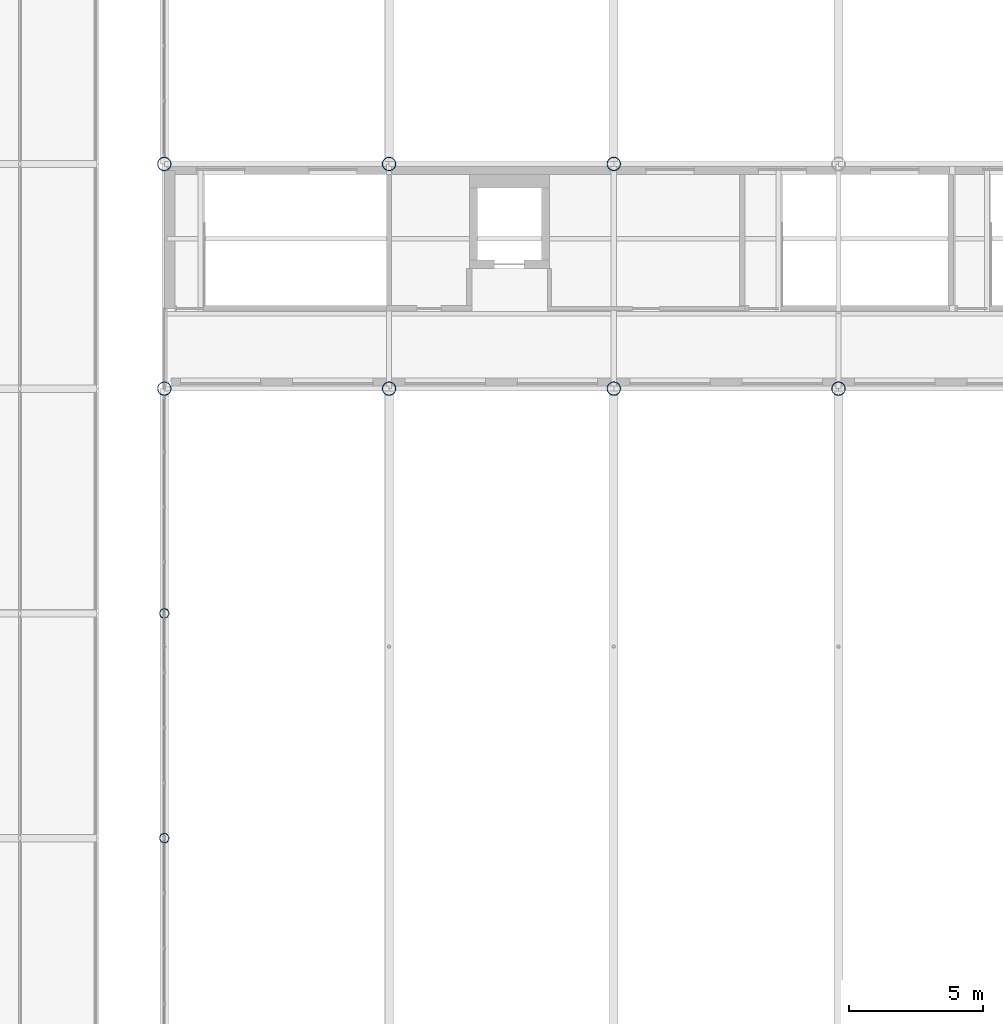
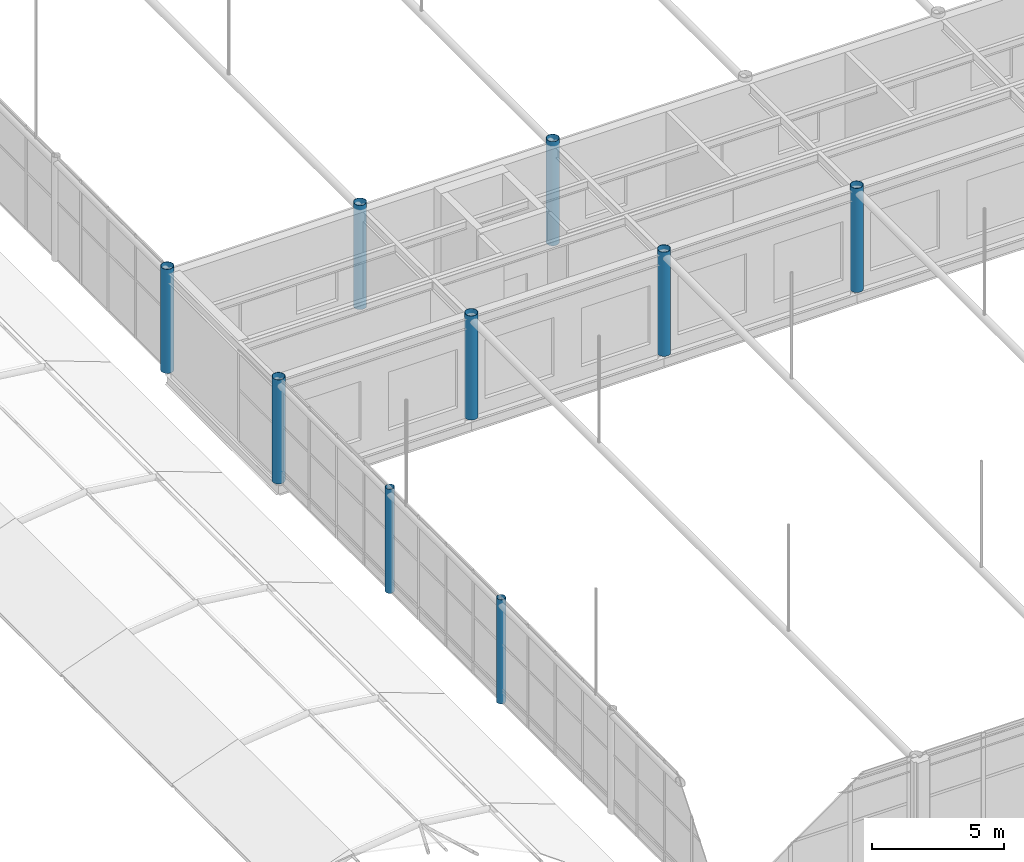
# One storey, part 4 of 167: 9 columns.
"""IFC4 building model written with IfcOpenShell, lengths in metres."""

from ifc_helpers import new_model, si_unit, direction, frame, origin, origin_2d, place, context, subcontext, project, spatial, hollow_circle, extrude, material, material_profile, profile_set, type_object, element, save


model = new_model("IFC4")

# Units and contexts
model_context = context("Model", 3, precision=1e-05, world=origin(), true_north=direction((0.0, 1.0)))
body_context = subcontext(model_context, "Body", "Model", "MODEL_VIEW")
ifc_project = project(units=[si_unit("LENGTHUNIT", "METRE"), si_unit("AREAUNIT", "SQUARE_METRE"), si_unit("VOLUMEUNIT", "CUBIC_METRE"), si_unit("PLANEANGLEUNIT", "RADIAN"), si_unit("MASSUNIT", "GRAM", prefix="KILO")], contexts=[model_context])

# Site, building, storey
site_placement = place(None, origin())
site = spatial("IfcSite", under=ifc_project, at=site_placement, CompositionType="ELEMENT")
building_placement = place(site_placement, origin())
building = spatial("IfcBuilding", under=site, at=building_placement, Name="Catenary Quay Ferry Terminal", CompositionType="ELEMENT")
storey_placement = place(building_placement, frame((0.0, 0.0, 6.0)))
storey = spatial("IfcBuildingStorey", under=building, at=storey_placement, Name="L01", CompositionType="ELEMENT", Elevation=6.0)

# Columns
ifc_material_1 = material(Name="Steel S355", Category="steel")
ifc_material_profile_1 = material_profile(ifc_material_1, hollow_circle(Radius=0.25390625, WallThickness=0.01611328125, at=origin_2d()), Name="CHS 508x16")
ifc_profile_set_1 = profile_set([ifc_material_profile_1], Name="Steel S355")
column_type_1 = type_object("IfcColumnType", Name="C4 CHS 508x16", PredefinedType="COLUMN", material=ifc_profile_set_1)
for number, where, z_axis, x_axis, name in (
    (1, (25.199951171875, 100.800048828125, 0.0), (0.0, 0.0, 1.0), (1.0, 0.0, 0.0), "Column C-D13 L01"),
    (2, (33.60009765625, 100.800048828125, 0.0), (0.0, 0.0, 1.0), (1.0, 0.0, 0.0), "Column C-E13 L01"),
    (3, (42.0, 100.800048828125, 0.0), (0.0, 0.0, 1.0), (1.0, 0.0, 0.0), "Column C-F13 L01"),
    (4, (50.39990234375, 100.800048828125, 0.0), (0.0, 0.0, 1.0), (1.0, 0.0, 0.0), "Column C-G13 L01"),
    (5, (25.199951171875, 109.199951171875, 0.0), (0.0, 0.0, 1.0), (1.0, 0.0, 0.0), "Column C-D14 L01"),
    (6, (33.60009765625, 109.199951171875, 0.0), (0.0, 0.0, 1.0), (1.0, 0.0, 0.0), "Column C-E14 L01"),
    (7, (42.0, 109.199951171875, 0.0), (0.0, 0.0, 1.0), (1.0, 0.0, 0.0), "Column C-F14 L01"),
):
    element("IfcColumn", number, at=place(storey_placement, frame(where, z_axis=z_axis, x_axis=x_axis)), inside=storey, type_object=column_type_1, Name=name, PredefinedType="COLUMN", context=body_context, shape_type="SweptSolid", body=[
        extrude(hollow_circle(Radius=0.25390625, WallThickness=0.01611328125, at=origin_2d()), origin(), (0.0, 0.0, 1.0), 4.800048828125),
    ])
ifc_material_2 = material(Name="Steel S355", Category="steel")
ifc_material_profile_2 = material_profile(ifc_material_2, hollow_circle(Radius=0.177734375, WallThickness=0.012451171875, at=origin_2d()), Name="CHS 355.6x12.5")
ifc_profile_set_2 = profile_set([ifc_material_profile_2], Name="Steel S355")
column_type_2 = type_object("IfcColumnType", Name="C5 CHS 355.6x12.5", PredefinedType="COLUMN", material=ifc_profile_set_2)
for number, where, z_axis, x_axis, name in (
    (8, (25.199951171875, 84.0, 0.0), (0.0, 0.0, 1.0), (1.0, 0.0, 0.0), "Column C-D11 L01"),
    (9, (25.199951171875, 92.39990234375, 0.0), (0.0, 0.0, 1.0), (1.0, 0.0, 0.0), "Column C-D12 L01"),
):
    element("IfcColumn", number, at=place(storey_placement, frame(where, z_axis=z_axis, x_axis=x_axis)), inside=storey, type_object=column_type_2, Name=name, PredefinedType="COLUMN", context=body_context, shape_type="SweptSolid", body=[
        extrude(hollow_circle(Radius=0.177734375, WallThickness=0.012451171875, at=origin_2d()), origin(), (0.0, 0.0, 1.0), 4.800048828125),
    ])

save(model, "model.ifc")
